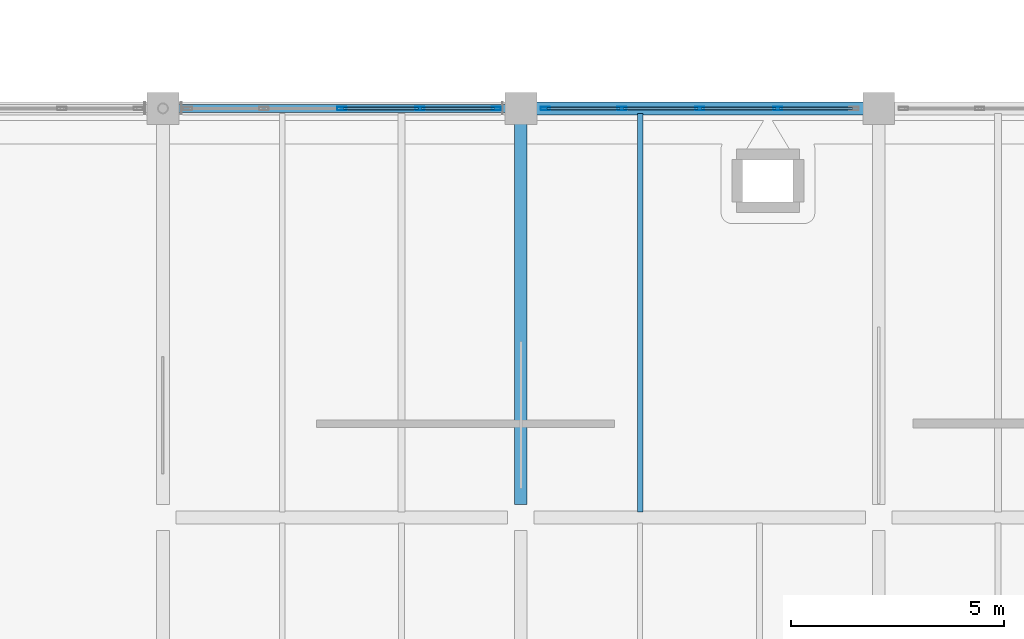
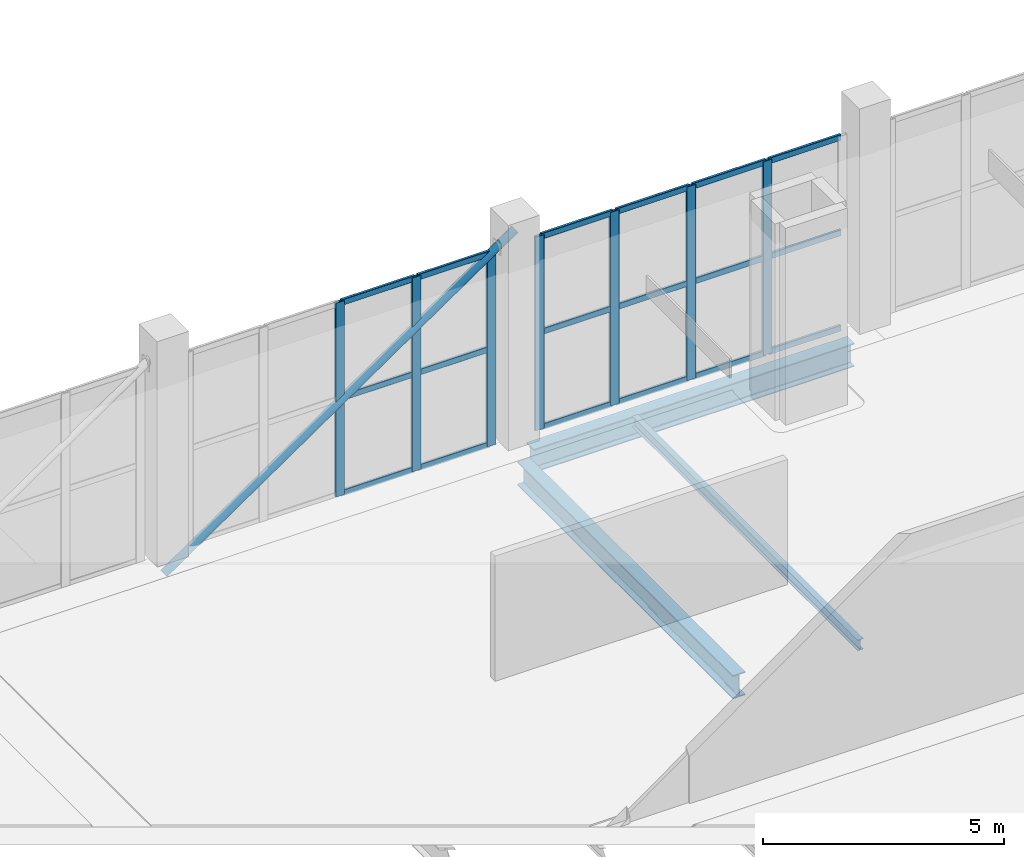
# One storey, part 13 of 49: 26 members, 3 beams, 2 elements without a shape of their own.
"""IFC4 building model written with IfcOpenShell, lengths in metres."""

from ifc_helpers import new_model, si_unit, direction, frame, origin, origin_2d, place, context, subcontext, project, spatial, hollow_rectangle, hollow_circle, i_section, extrude, material, layer, layer_set, material_profile, profile_set, type_object, element, aggregate, save


model = new_model("IFC4")

# Units and contexts
model_context = context("Model", 3, precision=1e-05, world=origin(), true_north=direction((0.0, 1.0)))
body_context = subcontext(model_context, "Body", "Model", "MODEL_VIEW")
ifc_project = project(units=[si_unit("LENGTHUNIT", "METRE"), si_unit("AREAUNIT", "SQUARE_METRE"), si_unit("VOLUMEUNIT", "CUBIC_METRE"), si_unit("PLANEANGLEUNIT", "RADIAN"), si_unit("MASSUNIT", "GRAM", prefix="KILO")], contexts=[model_context])

# Site, building, storey
site_placement = place(None, origin())
site = spatial("IfcSite", under=ifc_project, at=site_placement, CompositionType="ELEMENT")
building_placement = place(site_placement, origin())
building = spatial("IfcBuilding", under=site, at=building_placement, Name="Zulmaris Art Gallery", CompositionType="ELEMENT")
storey_placement = place(building_placement, frame((0.0, 0.0, 20.699951171875)))
storey = spatial("IfcBuildingStorey", under=building, at=storey_placement, Name="L04", CompositionType="ELEMENT", Elevation=20.699951171875)

# Beams
ifc_material_1 = material(Name="Steel S355J2", Category="steel")
ifc_material_profile_1 = material_profile(ifc_material_1, i_section(OverallWidth=0.300048828125, OverallDepth=0.590087890625, WebThickness=0.012939453125, FlangeThickness=0.02490234375, FilletRadius=0.027099609375, at=origin_2d()), Name="HEA 600")
ifc_profile_set_1 = profile_set([ifc_material_profile_1], Name="Steel S355J2")
beam_type_1 = type_object("IfcBeamType", Name="BEAM-BM12", PredefinedType="BEAM", material=ifc_profile_set_1)
beam_1_placement = place(storey_placement, frame((41.159912109375, 50.39990234375, -0.655029296875), z_axis=(1.0, 0.0, 0.0), x_axis=(0.0, 1.0, 0.0)))
element("IfcBeam", 1, at=beam_1_placement, inside=storey, type_object=beam_type_1, Name="L04 X-girder (40.8..49.2, y=50.4)", PredefinedType="BEAM", context=body_context, shape_type="SweptSolid", body=[
    extrude(i_section(OverallWidth=0.300048828125, OverallDepth=0.590087890625, WebThickness=0.012939453125, FlangeThickness=0.02490234375, FilletRadius=0.027099609375, at=origin_2d()), origin(), (0.0, 0.0, 1.0), 7.68017578125),
])
beam_2_placement = place(storey_placement, frame((40.800048828125, 41.110107421875, -0.655029296875), z_axis=(0.0, 1.0, 0.0), x_axis=(-1.0, 0.0, 0.0)))
element("IfcBeam", 2, at=beam_2_placement, inside=storey, type_object=beam_type_1, Name="L04 Y-girder (x=40.8, 40.8..50.4)", PredefinedType="BEAM", context=body_context, shape_type="SweptSolid", body=[
    extrude(i_section(OverallWidth=0.300048828125, OverallDepth=0.590087890625, WebThickness=0.012939453125, FlangeThickness=0.02490234375, FilletRadius=0.027099609375, at=origin_2d()), origin(), (0.0, 0.0, 1.0), 8.929931640625),
])
ifc_material_profile_2 = material_profile(ifc_material_1, i_section(OverallWidth=0.135009765625, OverallDepth=0.27001953125, WebThickness=0.006591796875, FlangeThickness=0.01025390625, FilletRadius=0.014892578125, at=origin_2d()), Name="IPE 270")
ifc_profile_set_2 = profile_set([ifc_material_profile_2], Name="Steel S355J2")
beam_type_2 = type_object("IfcBeamType", Name="BEAM-JS02", PredefinedType="JOIST", material=ifc_profile_set_2)
beam_3_placement = place(storey_placement, frame((43.60009765625, 40.925048828125, -0.494873046875), z_axis=(0.0, 1.0, 0.0), x_axis=(-1.0, 0.0, 0.0)))
element("IfcBeam", 3, at=beam_3_placement, inside=storey, type_object=beam_type_2, Name="L04 secondary joist at x=43.6", PredefinedType="JOIST", context=body_context, shape_type="SweptSolid", body=[
    extrude(i_section(OverallWidth=0.135009765625, OverallDepth=0.27001953125, WebThickness=0.006591796875, FlangeThickness=0.01025390625, FilletRadius=0.014892578125, at=origin_2d()), origin(), (0.0, 0.0, 1.0), 9.349853515625),
])

# Curtain wall, members
ifc_material_2 = material(Name="Unitised Low-E Gallery Curtain Wall", Category="aluminium")
ifc_layer = layer(ifc_material_2, 0.179931640625)
ifc_layer_set = layer_set([ifc_layer], Name="Unitised Low-E Gallery Curtain Wall")
curtain_wall_type = type_object("IfcCurtainWallType", Name="CW-CW01", PredefinedType="NOTDEFINED", material=ifc_layer_set)
curtain_wall_1_placement = place(storey_placement, origin())
curtain_wall_1 = element("IfcCurtainWall", 4, at=curtain_wall_1_placement, inside=storey, type_object=curtain_wall_type, Name="L04 curtain wall 25", PredefinedType="NOTDEFINED")
ifc_material_3 = material(Name="Anodised Bronze Aluminium", Category="aluminium")
ifc_material_profile_3 = material_profile(ifc_material_3, hollow_rectangle(XDim=0.074951171875, YDim=0.219970703125, WallThickness=0.0048828125, InnerFilletRadius=0.007568359375, OuterFilletRadius=0.012451171875, at=origin_2d()), Name="ALU 75x220x5")
ifc_profile_set_3 = profile_set([ifc_material_profile_3], Name="Anodised Bronze Aluminium")
member_type_1 = type_object("IfcMemberType", Name="CWMUL-02", PredefinedType="MULLION", material=ifc_profile_set_3)
member_1_placement = place(storey_placement, frame((40.222412109375, 50.39990234375, 0.0), z_axis=(0.0, 0.0, 1.0), x_axis=(0.0, -1.0, 0.0)))
member_1 = element("IfcMember", 5, at=member_1_placement, type_object=member_type_1, Name="CW01 mullion 1", PredefinedType="MULLION", context=body_context, shape_type="SweptSolid", body=[
    extrude(hollow_rectangle(XDim=0.074951171875, YDim=0.219970703125, WallThickness=0.0048828125, InnerFilletRadius=0.007568359375, OuterFilletRadius=0.012451171875, at=origin_2d()), origin(), (0.0, 0.0, 1.0), 4.900146484375),
])
member_2_placement = place(storey_placement, frame((38.429931640625, 50.39990234375, 0.0), z_axis=(0.0, 0.0, 1.0), x_axis=(0.0, -1.0, 0.0)))
member_2 = element("IfcMember", 6, at=member_2_placement, type_object=member_type_1, Name="CW01 mullion 2", PredefinedType="MULLION", context=body_context, shape_type="SweptSolid", body=[
    extrude(hollow_rectangle(XDim=0.074951171875, YDim=0.219970703125, WallThickness=0.0048828125, InnerFilletRadius=0.007568359375, OuterFilletRadius=0.012451171875, at=origin_2d()), origin(), (0.0, 0.0, 1.0), 4.900146484375),
])
member_3_placement = place(storey_placement, frame((36.60009765625, 50.39990234375, 0.0), z_axis=(0.0, 0.0, 1.0), x_axis=(0.0, -1.0, 0.0)))
member_3 = element("IfcMember", 7, at=member_3_placement, type_object=member_type_1, Name="CW01 mullion 3", PredefinedType="MULLION", context=body_context, shape_type="SweptSolid", body=[
    extrude(hollow_rectangle(XDim=0.074951171875, YDim=0.219970703125, WallThickness=0.0048828125, InnerFilletRadius=0.007568359375, OuterFilletRadius=0.012451171875, at=origin_2d()), origin(), (0.0, 0.0, 1.0), 4.900146484375),
])

curtain_wall_2_placement = place(storey_placement, origin())
curtain_wall_2 = element("IfcCurtainWall", 8, at=curtain_wall_2_placement, inside=storey, type_object=curtain_wall_type, Name="L04 curtain wall 27", PredefinedType="NOTDEFINED")
member_4_placement = place(storey_placement, frame((46.830078125, 50.39990234375, 0.0), z_axis=(0.0, 0.0, 1.0), x_axis=(0.0, -1.0, 0.0)))
member_4 = element("IfcMember", 9, at=member_4_placement, type_object=member_type_1, Name="CW01 mullion 2", PredefinedType="MULLION", context=body_context, shape_type="SweptSolid", body=[
    extrude(hollow_rectangle(XDim=0.074951171875, YDim=0.219970703125, WallThickness=0.0048828125, InnerFilletRadius=0.007568359375, OuterFilletRadius=0.012451171875, at=origin_2d()), origin(), (0.0, 0.0, 1.0), 4.900146484375),
])
member_5_placement = place(storey_placement, frame((45.0, 50.39990234375, 0.0), z_axis=(0.0, 0.0, 1.0), x_axis=(0.0, -1.0, 0.0)))
member_5 = element("IfcMember", 10, at=member_5_placement, type_object=member_type_1, Name="CW01 mullion 3", PredefinedType="MULLION", context=body_context, shape_type="SweptSolid", body=[
    extrude(hollow_rectangle(XDim=0.074951171875, YDim=0.219970703125, WallThickness=0.0048828125, InnerFilletRadius=0.007568359375, OuterFilletRadius=0.012451171875, at=origin_2d()), origin(), (0.0, 0.0, 1.0), 4.900146484375),
])
member_6_placement = place(storey_placement, frame((43.169921875, 50.39990234375, 0.0), z_axis=(0.0, 0.0, 1.0), x_axis=(0.0, -1.0, 0.0)))
member_6 = element("IfcMember", 11, at=member_6_placement, type_object=member_type_1, Name="CW01 mullion 4", PredefinedType="MULLION", context=body_context, shape_type="SweptSolid", body=[
    extrude(hollow_rectangle(XDim=0.074951171875, YDim=0.219970703125, WallThickness=0.0048828125, InnerFilletRadius=0.007568359375, OuterFilletRadius=0.012451171875, at=origin_2d()), origin(), (0.0, 0.0, 1.0), 4.900146484375),
])
member_7_placement = place(storey_placement, frame((41.37744140625, 50.39990234375, 0.0), z_axis=(0.0, 0.0, 1.0), x_axis=(0.0, -1.0, 0.0)))
member_7 = element("IfcMember", 12, at=member_7_placement, type_object=member_type_1, Name="CW01 mullion 5", PredefinedType="MULLION", context=body_context, shape_type="SweptSolid", body=[
    extrude(hollow_rectangle(XDim=0.074951171875, YDim=0.219970703125, WallThickness=0.0048828125, InnerFilletRadius=0.007568359375, OuterFilletRadius=0.012451171875, at=origin_2d()), origin(), (0.0, 0.0, 1.0), 4.900146484375),
])

# Member
ifc_material_profile_4 = material_profile(ifc_material_3, hollow_rectangle(XDim=0.06494140625, YDim=0.14990234375, WallThickness=0.00390625, InnerFilletRadius=0.006103515625, OuterFilletRadius=0.010009765625, at=origin_2d()), Name="ALU 65x150x4")
ifc_profile_set_4 = profile_set([ifc_material_profile_4], Name="Anodised Bronze Aluminium")
member_type_2 = type_object("IfcMemberType", Name="CWTRN-01", PredefinedType="USERDEFINED", material=ifc_profile_set_4)
member_8_placement = place(storey_placement, frame((40.18505859375, 50.39990234375, 0.03759765625), z_axis=(-1.0, 0.0, 0.0), x_axis=(0.0, -1.0, 0.0)))
member_8 = element("IfcMember", 13, at=member_8_placement, type_object=member_type_2, Name="CW01 transom 1.1", ObjectType="TRANSOM", PredefinedType="USERDEFINED", context=body_context, shape_type="SweptSolid", body=[
    extrude(hollow_rectangle(XDim=0.06494140625, YDim=0.14990234375, WallThickness=0.00390625, InnerFilletRadius=0.006103515625, OuterFilletRadius=0.010009765625, at=origin_2d()), origin(), (0.0, 0.0, 1.0), 1.717529296875),
])

member_9_placement = place(storey_placement, frame((40.18505859375, 50.39990234375, 2.449951171875), z_axis=(-1.0, 0.0, 0.0), x_axis=(0.0, -1.0, 0.0)))
member_9 = element("IfcMember", 14, at=member_9_placement, type_object=member_type_2, Name="CW01 transom 1.2", ObjectType="TRANSOM", PredefinedType="USERDEFINED", context=body_context, shape_type="SweptSolid", body=[
    extrude(hollow_rectangle(XDim=0.06494140625, YDim=0.14990234375, WallThickness=0.00390625, InnerFilletRadius=0.006103515625, OuterFilletRadius=0.010009765625, at=origin_2d()), origin(), (0.0, 0.0, 1.0), 1.717529296875),
])

member_10_placement = place(storey_placement, frame((40.18505859375, 50.39990234375, 4.862548828125), z_axis=(-1.0, 0.0, 0.0), x_axis=(0.0, -1.0, 0.0)))
member_10 = element("IfcMember", 15, at=member_10_placement, type_object=member_type_2, Name="CW01 transom 1.3", ObjectType="TRANSOM", PredefinedType="USERDEFINED", context=body_context, shape_type="SweptSolid", body=[
    extrude(hollow_rectangle(XDim=0.06494140625, YDim=0.14990234375, WallThickness=0.00390625, InnerFilletRadius=0.006103515625, OuterFilletRadius=0.010009765625, at=origin_2d()), origin(), (0.0, 0.0, 1.0), 1.717529296875),
])

member_11_placement = place(storey_placement, frame((38.392578125, 50.39990234375, 0.03759765625), z_axis=(-1.0, 0.0, 0.0), x_axis=(0.0, -1.0, 0.0)))
member_11 = element("IfcMember", 16, at=member_11_placement, type_object=member_type_2, Name="CW01 transom 2.1", ObjectType="TRANSOM", PredefinedType="USERDEFINED", context=body_context, shape_type="SweptSolid", body=[
    extrude(hollow_rectangle(XDim=0.06494140625, YDim=0.14990234375, WallThickness=0.00390625, InnerFilletRadius=0.006103515625, OuterFilletRadius=0.010009765625, at=origin_2d()), origin(), (0.0, 0.0, 1.0), 1.755126953125),
])

member_12_placement = place(storey_placement, frame((38.392578125, 50.39990234375, 2.449951171875), z_axis=(-1.0, 0.0, 0.0), x_axis=(0.0, -1.0, 0.0)))
member_12 = element("IfcMember", 17, at=member_12_placement, type_object=member_type_2, Name="CW01 transom 2.2", ObjectType="TRANSOM", PredefinedType="USERDEFINED", context=body_context, shape_type="SweptSolid", body=[
    extrude(hollow_rectangle(XDim=0.06494140625, YDim=0.14990234375, WallThickness=0.00390625, InnerFilletRadius=0.006103515625, OuterFilletRadius=0.010009765625, at=origin_2d()), origin(), (0.0, 0.0, 1.0), 1.755126953125),
])

member_13_placement = place(storey_placement, frame((38.392578125, 50.39990234375, 4.862548828125), z_axis=(-1.0, 0.0, 0.0), x_axis=(0.0, -1.0, 0.0)))
member_13 = element("IfcMember", 18, at=member_13_placement, type_object=member_type_2, Name="CW01 transom 2.3", ObjectType="TRANSOM", PredefinedType="USERDEFINED", context=body_context, shape_type="SweptSolid", body=[
    extrude(hollow_rectangle(XDim=0.06494140625, YDim=0.14990234375, WallThickness=0.00390625, InnerFilletRadius=0.006103515625, OuterFilletRadius=0.010009765625, at=origin_2d()), origin(), (0.0, 0.0, 1.0), 1.755126953125),
])

aggregate(curtain_wall_1, [member_1, member_2, member_3, member_8, member_9, member_10, member_11, member_12, member_13])

member_14_placement = place(storey_placement, frame((48.5849609375, 50.39990234375, 0.03759765625), z_axis=(-1.0, 0.0, 0.0), x_axis=(0.0, -1.0, 0.0)))
member_14 = element("IfcMember", 19, at=member_14_placement, type_object=member_type_2, Name="CW01 transom 1.1", ObjectType="TRANSOM", PredefinedType="USERDEFINED", context=body_context, shape_type="SweptSolid", body=[
    extrude(hollow_rectangle(XDim=0.06494140625, YDim=0.14990234375, WallThickness=0.00390625, InnerFilletRadius=0.006103515625, OuterFilletRadius=0.010009765625, at=origin_2d()), origin(), (0.0, 0.0, 1.0), 1.717529296875),
])

member_15_placement = place(storey_placement, frame((48.5849609375, 50.39990234375, 2.449951171875), z_axis=(-1.0, 0.0, 0.0), x_axis=(0.0, -1.0, 0.0)))
member_15 = element("IfcMember", 20, at=member_15_placement, type_object=member_type_2, Name="CW01 transom 1.2", ObjectType="TRANSOM", PredefinedType="USERDEFINED", context=body_context, shape_type="SweptSolid", body=[
    extrude(hollow_rectangle(XDim=0.06494140625, YDim=0.14990234375, WallThickness=0.00390625, InnerFilletRadius=0.006103515625, OuterFilletRadius=0.010009765625, at=origin_2d()), origin(), (0.0, 0.0, 1.0), 1.717529296875),
])

member_16_placement = place(storey_placement, frame((48.5849609375, 50.39990234375, 4.862548828125), z_axis=(-1.0, 0.0, 0.0), x_axis=(0.0, -1.0, 0.0)))
member_16 = element("IfcMember", 21, at=member_16_placement, type_object=member_type_2, Name="CW01 transom 1.3", ObjectType="TRANSOM", PredefinedType="USERDEFINED", context=body_context, shape_type="SweptSolid", body=[
    extrude(hollow_rectangle(XDim=0.06494140625, YDim=0.14990234375, WallThickness=0.00390625, InnerFilletRadius=0.006103515625, OuterFilletRadius=0.010009765625, at=origin_2d()), origin(), (0.0, 0.0, 1.0), 1.717529296875),
])

member_17_placement = place(storey_placement, frame((46.79248046875, 50.39990234375, 0.03759765625), z_axis=(-1.0, 0.0, 0.0), x_axis=(0.0, -1.0, 0.0)))
member_17 = element("IfcMember", 22, at=member_17_placement, type_object=member_type_2, Name="CW01 transom 2.1", ObjectType="TRANSOM", PredefinedType="USERDEFINED", context=body_context, shape_type="SweptSolid", body=[
    extrude(hollow_rectangle(XDim=0.06494140625, YDim=0.14990234375, WallThickness=0.00390625, InnerFilletRadius=0.006103515625, OuterFilletRadius=0.010009765625, at=origin_2d()), origin(), (0.0, 0.0, 1.0), 1.7548828125),
])

member_18_placement = place(storey_placement, frame((46.79248046875, 50.39990234375, 2.449951171875), z_axis=(-1.0, 0.0, 0.0), x_axis=(0.0, -1.0, 0.0)))
member_18 = element("IfcMember", 23, at=member_18_placement, type_object=member_type_2, Name="CW01 transom 2.2", ObjectType="TRANSOM", PredefinedType="USERDEFINED", context=body_context, shape_type="SweptSolid", body=[
    extrude(hollow_rectangle(XDim=0.06494140625, YDim=0.14990234375, WallThickness=0.00390625, InnerFilletRadius=0.006103515625, OuterFilletRadius=0.010009765625, at=origin_2d()), origin(), (0.0, 0.0, 1.0), 1.7548828125),
])

member_19_placement = place(storey_placement, frame((46.79248046875, 50.39990234375, 4.862548828125), z_axis=(-1.0, 0.0, 0.0), x_axis=(0.0, -1.0, 0.0)))
member_19 = element("IfcMember", 24, at=member_19_placement, type_object=member_type_2, Name="CW01 transom 2.3", ObjectType="TRANSOM", PredefinedType="USERDEFINED", context=body_context, shape_type="SweptSolid", body=[
    extrude(hollow_rectangle(XDim=0.06494140625, YDim=0.14990234375, WallThickness=0.00390625, InnerFilletRadius=0.006103515625, OuterFilletRadius=0.010009765625, at=origin_2d()), origin(), (0.0, 0.0, 1.0), 1.7548828125),
])

member_20_placement = place(storey_placement, frame((44.96240234375, 50.39990234375, 0.03759765625), z_axis=(-1.0, 0.0, 0.0), x_axis=(0.0, -1.0, 0.0)))
member_20 = element("IfcMember", 25, at=member_20_placement, type_object=member_type_2, Name="CW01 transom 3.1", ObjectType="TRANSOM", PredefinedType="USERDEFINED", context=body_context, shape_type="SweptSolid", body=[
    extrude(hollow_rectangle(XDim=0.06494140625, YDim=0.14990234375, WallThickness=0.00390625, InnerFilletRadius=0.006103515625, OuterFilletRadius=0.010009765625, at=origin_2d()), origin(), (0.0, 0.0, 1.0), 1.7548828125),
])

member_21_placement = place(storey_placement, frame((44.96240234375, 50.39990234375, 2.449951171875), z_axis=(-1.0, 0.0, 0.0), x_axis=(0.0, -1.0, 0.0)))
member_21 = element("IfcMember", 26, at=member_21_placement, type_object=member_type_2, Name="CW01 transom 3.2", ObjectType="TRANSOM", PredefinedType="USERDEFINED", context=body_context, shape_type="SweptSolid", body=[
    extrude(hollow_rectangle(XDim=0.06494140625, YDim=0.14990234375, WallThickness=0.00390625, InnerFilletRadius=0.006103515625, OuterFilletRadius=0.010009765625, at=origin_2d()), origin(), (0.0, 0.0, 1.0), 1.7548828125),
])

member_22_placement = place(storey_placement, frame((44.96240234375, 50.39990234375, 4.862548828125), z_axis=(-1.0, 0.0, 0.0), x_axis=(0.0, -1.0, 0.0)))
member_22 = element("IfcMember", 27, at=member_22_placement, type_object=member_type_2, Name="CW01 transom 3.3", ObjectType="TRANSOM", PredefinedType="USERDEFINED", context=body_context, shape_type="SweptSolid", body=[
    extrude(hollow_rectangle(XDim=0.06494140625, YDim=0.14990234375, WallThickness=0.00390625, InnerFilletRadius=0.006103515625, OuterFilletRadius=0.010009765625, at=origin_2d()), origin(), (0.0, 0.0, 1.0), 1.7548828125),
])

member_23_placement = place(storey_placement, frame((43.132568359375, 50.39990234375, 0.03759765625), z_axis=(-1.0, 0.0, 0.0), x_axis=(0.0, -1.0, 0.0)))
member_23 = element("IfcMember", 28, at=member_23_placement, type_object=member_type_2, Name="CW01 transom 4.1", ObjectType="TRANSOM", PredefinedType="USERDEFINED", context=body_context, shape_type="SweptSolid", body=[
    extrude(hollow_rectangle(XDim=0.06494140625, YDim=0.14990234375, WallThickness=0.00390625, InnerFilletRadius=0.006103515625, OuterFilletRadius=0.010009765625, at=origin_2d()), origin(), (0.0, 0.0, 1.0), 1.717529296875),
])

member_24_placement = place(storey_placement, frame((43.132568359375, 50.39990234375, 2.449951171875), z_axis=(-1.0, 0.0, 0.0), x_axis=(0.0, -1.0, 0.0)))
member_24 = element("IfcMember", 29, at=member_24_placement, type_object=member_type_2, Name="CW01 transom 4.2", ObjectType="TRANSOM", PredefinedType="USERDEFINED", context=body_context, shape_type="SweptSolid", body=[
    extrude(hollow_rectangle(XDim=0.06494140625, YDim=0.14990234375, WallThickness=0.00390625, InnerFilletRadius=0.006103515625, OuterFilletRadius=0.010009765625, at=origin_2d()), origin(), (0.0, 0.0, 1.0), 1.717529296875),
])

member_25_placement = place(storey_placement, frame((43.132568359375, 50.39990234375, 4.862548828125), z_axis=(-1.0, 0.0, 0.0), x_axis=(0.0, -1.0, 0.0)))
member_25 = element("IfcMember", 30, at=member_25_placement, type_object=member_type_2, Name="CW01 transom 4.3", ObjectType="TRANSOM", PredefinedType="USERDEFINED", context=body_context, shape_type="SweptSolid", body=[
    extrude(hollow_rectangle(XDim=0.06494140625, YDim=0.14990234375, WallThickness=0.00390625, InnerFilletRadius=0.006103515625, OuterFilletRadius=0.010009765625, at=origin_2d()), origin(), (0.0, 0.0, 1.0), 1.717529296875),
])

aggregate(curtain_wall_2, [member_4, member_5, member_6, member_7, member_14, member_15, member_16, member_17, member_18, member_19, member_20, member_21, member_22, member_23, member_24, member_25])

ifc_material_4 = material(Name="Steel S355J2H", Category="steel")
ifc_material_profile_5 = material_profile(ifc_material_4, hollow_circle(Radius=0.096923828125, WallThickness=0.010009765625, at=origin_2d()), Name="CHS 193.7x10")
ifc_profile_set_5 = profile_set([ifc_material_profile_5], Name="Steel S355J2H")
member_type_3 = type_object("IfcMemberType", Name="MEM-TB02", PredefinedType="BRACE", material=ifc_profile_set_5)
member_26_placement = place(storey_placement, frame((32.39990234375, 50.39990234375, -0.517333984375), z_axis=(0.824397605142, 0.0, 0.566011120594), x_axis=(0.0, 1.0, 0.0)))
element("IfcMember", 31, at=member_26_placement, inside=storey, type_object=member_type_3, Name="Eaves cantilever raker 2-5", PredefinedType="BRACE", context=body_context, shape_type="SweptSolid", body=[
    extrude(hollow_circle(Radius=0.096923828125, WallThickness=0.010009765625, at=origin_2d()), origin(), (0.0, 0.0, 1.0), 10.189453125),
])

save(model, "model.ifc")
